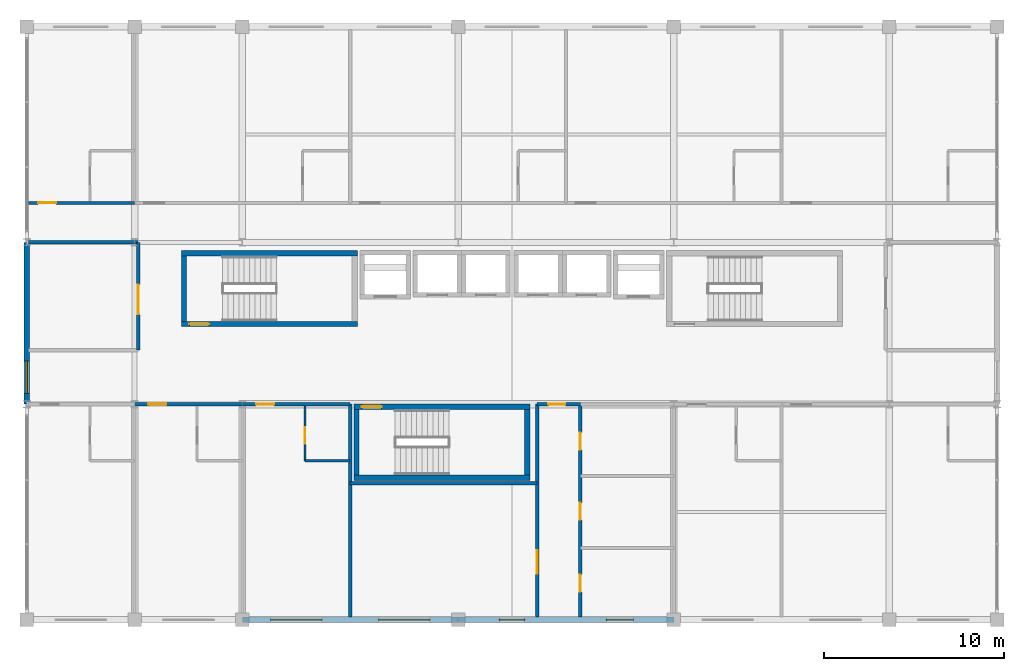
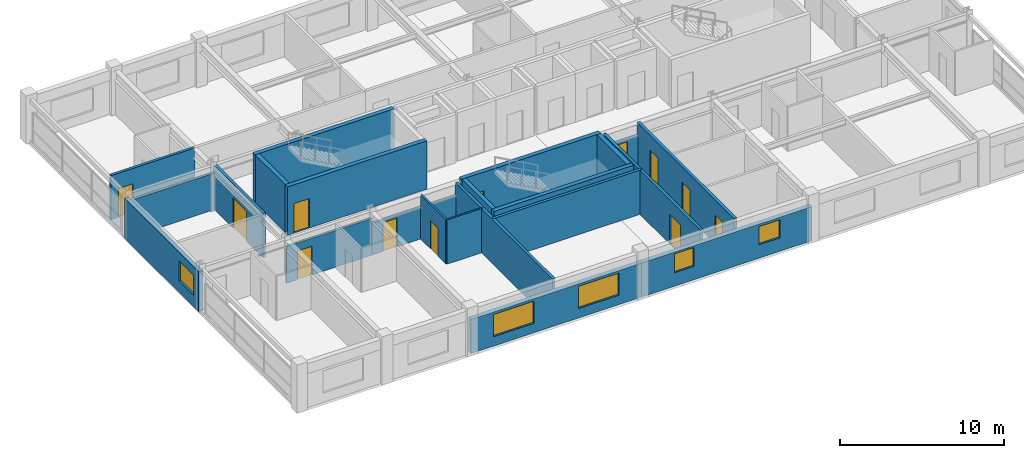
# One storey, part 16 of 20: 22 walls, 12 doors, 5 windows, 17 openings.
"""IFC4 building model written with IfcOpenShell, lengths in metres."""

from ifc_helpers import new_model, si_unit, direction, frame, frame_2d, origin, place, context, subcontext, project, spatial, rectangle, extrude, material, layer, layer_set, type_object, element, fill, save


model = new_model("IFC4")

# Units and contexts
model_context = context("Model", 3, precision=1e-05, world=origin(), true_north=direction((0.0, 1.0)))
body_context = subcontext(model_context, "Body", "Model", "MODEL_VIEW")
ifc_project = project(units=[si_unit("LENGTHUNIT", "METRE"), si_unit("AREAUNIT", "SQUARE_METRE"), si_unit("VOLUMEUNIT", "CUBIC_METRE"), si_unit("PLANEANGLEUNIT", "RADIAN"), si_unit("MASSUNIT", "GRAM", prefix="KILO")], contexts=[model_context])

# Site, building, storey
site_placement = place(None, origin())
site = spatial("IfcSite", under=ifc_project, at=site_placement, CompositionType="ELEMENT")
building_placement = place(site_placement, origin())
building = spatial("IfcBuilding", under=site, at=building_placement, Name="Kaldorvane Square Convention Centre", CompositionType="ELEMENT")
storey_placement = place(building_placement, frame((0.0, 0.0, 56.399993896484375)))
storey = spatial("IfcBuildingStorey", under=building, at=storey_placement, Name="L13", CompositionType="ELEMENT", Elevation=56.399993896484375)

# Wall, opening, door
ifc_material_1 = material(Name="Fire-Rated Gypsum Board on Acoustic Steel Studs", Category="steel")
ifc_layer_1 = layer(ifc_material_1, 0.125)
ifc_layer_set_1 = layer_set([ifc_layer_1], Name="Fire-Rated Gypsum Board on Acoustic Steel Studs")
wall_type_1 = type_object("IfcWallType", Name="WL-BATH-125", PredefinedType="PARTITIONING", material=ifc_layer_set_1)
wall_1_placement = place(storey_placement, frame((45.47999572753906, 92.85000610351562, 0.0), z_axis=(0.0, 0.0, 1.0), x_axis=(0.0, 1.0, 0.0)))
wall_1 = element("IfcWall", 1, at=wall_1_placement, inside=storey, type_object=wall_type_1, Name="En-Suite 1308 West Wall", PredefinedType="PARTITIONING", context=body_context, shape_type="SweptSolid", body=[
    extrude(rectangle(XDim=3.05999755859375, YDim=0.125, at=frame_2d((1.529998779296875, 0.0))), origin(), (0.0, 0.0, 1.0), 3.290008544921875),
])
opening_1_placement = place(wall_1_placement, frame((0.9499969482421875, 0.0, 0.0)))
opening_1 = element("IfcOpeningElement", 2, at=opening_1_placement, cuts=wall_1, Name="Opening ID-12", PredefinedType="OPENING", context=body_context, shape_type="SweptSolid", body=[
    extrude(rectangle(XDim=0.9199981689453125, YDim=2.100006103515625, at=frame_2d((0.459991455078125, 1.0500030517578125))), frame((0.0, 0.0774993896484375, 0.0), z_axis=(0.0, -1.0, 0.0), x_axis=(1.0, 0.0, 0.0)), (0.0, 0.0, 1.0), 0.154998779296875),
])
ifc_material_2 = material(Name="Architectural Solid-Core White Oak")
door_type_1 = type_object("IfcDoorType", Name="DR-BATH-0920X2100", OperationType="SINGLE_SWING_RIGHT", PredefinedType="DOOR", material=ifc_material_2)
door_1_placement = place(opening_1_placement, origin())
door_1 = element("IfcDoor", 3, at=door_1_placement, inside=storey, type_object=door_type_1, Name="En-Suite Bathroom 1308 Door", OperationType="SINGLE_SWING_RIGHT", OverallHeight=2.100006103515625, OverallWidth=0.9199981689453125, PredefinedType="DOOR", context=body_context, shape_type="SweptSolid", body=[
    extrude(rectangle(XDim=0.9199981689453125, YDim=2.100006103515625, at=frame_2d((0.459991455078125, 1.0500030517578125))), frame((0.0, 0.024993896484375, 0.0), z_axis=(0.0, -1.0, 0.0), x_axis=(1.0, 0.0, 0.0)), (0.0, 0.0, 1.0), 0.0500030517578125),
])
fill(opening_1, door_1)

# Wall
wall_2_placement = place(storey_placement, frame((45.47999572753906, 92.85000610351562, 0.0), z_axis=(0.0, 0.0, 1.0), x_axis=(1.0, 0.0, 0.0)))
element("IfcWall", 4, at=wall_2_placement, inside=storey, type_object=wall_type_1, Name="En-Suite 1308 South Wall", PredefinedType="PARTITIONING", context=body_context, shape_type="SweptSolid", body=[
    extrude(rectangle(XDim=2.5200042724609375, YDim=0.125, at=frame_2d((1.260009765625, 0.0))), origin(), (0.0, 0.0, 1.0), 3.290008544921875),
])

# Wall, opening, door
ifc_layer_2 = layer(ifc_material_1, 0.1999969482421875)
ifc_layer_set_2 = layer_set([ifc_layer_2], Name="Fire-Rated Gypsum Board on Acoustic Steel Studs")
wall_type_2 = type_object("IfcWallType", Name="WL-CORR-200", PredefinedType="PARTITIONING", material=ifc_layer_set_2)
wall_3_placement = place(storey_placement, frame((58.399993896484375, 96.0, 0.0), z_axis=(0.0, 0.0, 1.0), x_axis=(1.0, 0.0, 0.0)))
wall_3 = element("IfcWall", 5, at=wall_3_placement, inside=storey, type_object=wall_type_2, Name="Restroom Vestibule Entry Header (L13)", PredefinedType="PARTITIONING", context=body_context, shape_type="SweptSolid", body=[
    extrude(rectangle(XDim=2.4000091552734375, YDim=0.1999969482421875, at=frame_2d((1.20001220703125, 0.0))), origin(), (0.0, 0.0, 1.0), 2.3590087890625),
])
opening_2_placement = place(wall_3_placement, frame((0.625, 0.0, 0.0)))
opening_2 = element("IfcOpeningElement", 6, at=opening_2_placement, cuts=wall_3, Name="Opening ID-13", PredefinedType="OPENING", context=body_context, shape_type="SweptSolid", body=[
    extrude(rectangle(XDim=0.9499969482421875, YDim=2.149993896484375, at=frame_2d((0.475006103515625, 1.0749969482421875))), frame((0.0, 0.114990234375, 0.0), z_axis=(0.0, -1.0, 0.0), x_axis=(1.0, 0.0, 0.0)), (0.0, 0.0, 1.0), 0.2299957275390625),
])
door_type_2 = type_object("IfcDoorType", Name="DR-WC-0950X2150", OperationType="SINGLE_SWING_LEFT", PredefinedType="DOOR", material=ifc_material_2)
door_2_placement = place(opening_2_placement, origin())
door_2 = element("IfcDoor", 7, at=door_2_placement, inside=storey, type_object=door_type_2, Name="Restroom Vestibule Door (L13)", OperationType="SINGLE_SWING_LEFT", OverallHeight=2.149993896484375, OverallWidth=0.9499969482421875, PredefinedType="DOOR", context=body_context, shape_type="SweptSolid", body=[
    extrude(rectangle(XDim=0.9499969482421875, YDim=2.149993896484375, at=frame_2d((0.475006103515625, 1.0749969482421875))), frame((0.0, 0.024993896484375, 0.0), z_axis=(0.0, -1.0, 0.0), x_axis=(1.0, 0.0, 0.0)), (0.0, 0.0, 1.0), 0.0500030517578125),
])
fill(opening_2, door_2)

wall_4_placement = place(storey_placement, frame((58.399993896484375, 84.16000366210938, 0.0), z_axis=(0.0, 0.0, 1.0), x_axis=(0.0, 1.0, 0.0)))
wall_4 = element("IfcWall", 8, at=wall_4_placement, inside=storey, type_object=wall_type_2, Name="Restroom Vestibule West Wall (L13)", PredefinedType="PARTITIONING", context=body_context, shape_type="SweptSolid", body=[
    extrude(rectangle(XDim=11.839996337890625, YDim=0.1999969482421875, at=frame_2d((5.9199981689453125, 0.0))), origin(), (0.0, 0.0, 1.0), 3.290008544921875),
])
opening_3_placement = place(wall_4_placement, frame((2.399993896484375, 0.0, 0.0)))
opening_3 = element("IfcOpeningElement", 9, at=opening_3_placement, cuts=wall_4, Name="Opening ID-09", PredefinedType="OPENING", context=body_context, shape_type="SweptSolid", body=[
    extrude(rectangle(XDim=1.3000030517578125, YDim=2.1999969482421875, at=frame_2d((0.649993896484375, 1.100006103515625))), frame((0.0, 0.114990234375, 0.0), z_axis=(0.0, -1.0, 0.0), x_axis=(1.0, 0.0, 0.0)), (0.0, 0.0, 1.0), 0.2299957275390625),
])
ifc_material_3 = material(Name="Insulated Hollow Metal Steel", Category="steel")
door_type_3 = type_object("IfcDoorType", Name="DR-SVC-1300X2200", OperationType="DOUBLE_DOOR_SINGLE_SWING", PredefinedType="DOOR", material=ifc_material_3)
door_3_placement = place(opening_3_placement, origin())
door_3 = element("IfcDoor", 10, at=door_3_placement, inside=storey, type_object=door_type_3, Name="Housekeeping and Linen Room (L13) Door", OperationType="DOUBLE_DOOR_SINGLE_SWING", OverallHeight=2.1999969482421875, OverallWidth=1.3000030517578125, PredefinedType="DOOR", context=body_context, shape_type="SweptSolid", body=[
    extrude(rectangle(XDim=1.3000030517578125, YDim=2.1999969482421875, at=frame_2d((0.649993896484375, 1.100006103515625))), frame((0.0, 0.024993896484375, 0.0), z_axis=(0.0, -1.0, 0.0), x_axis=(1.0, 0.0, 0.0)), (0.0, 0.0, 1.0), 0.0500030517578125),
])
fill(opening_3, door_3)

# Wall, openings, doors
wall_5_placement = place(storey_placement, frame((60.80000305175781, 84.16000366210938, 0.0), z_axis=(0.0, 0.0, 1.0), x_axis=(0.0, 1.0, 0.0)))
wall_5 = element("IfcWall", 11, at=wall_5_placement, inside=storey, type_object=wall_type_2, Name="Restroom Vestibule East Wall (L13)", PredefinedType="PARTITIONING", context=body_context, shape_type="SweptSolid", body=[
    extrude(rectangle(XDim=11.839996337890625, YDim=0.1999969482421875, at=frame_2d((5.9199981689453125, 0.0))), origin(), (0.0, 0.0, 1.0), 3.290008544921875),
])
opening_4_placement = place(wall_5_placement, frame((1.399993896484375, 0.0, 0.0)))
opening_4 = element("IfcOpeningElement", 12, at=opening_4_placement, cuts=wall_5, Name="Opening ID-13", PredefinedType="OPENING", context=body_context, shape_type="SweptSolid", body=[
    extrude(rectangle(XDim=0.9499969482421875, YDim=2.149993896484375, at=frame_2d((0.475006103515625, 1.0749969482421875))), frame((0.0, 0.114990234375, 0.0), z_axis=(0.0, -1.0, 0.0), x_axis=(1.0, 0.0, 0.0)), (0.0, 0.0, 1.0), 0.2299957275390625),
])
opening_5_placement = place(wall_5_placement, frame((5.399993896484375, 0.0, 0.0)))
opening_5 = element("IfcOpeningElement", 13, at=opening_5_placement, cuts=wall_5, Name="Opening ID-13", PredefinedType="OPENING", context=body_context, shape_type="SweptSolid", body=[
    extrude(rectangle(XDim=0.9499969482421875, YDim=2.149993896484375, at=frame_2d((0.475006103515625, 1.0749969482421875))), frame((0.0, 0.114990234375, 0.0), z_axis=(0.0, -1.0, 0.0), x_axis=(1.0, 0.0, 0.0)), (0.0, 0.0, 1.0), 0.2299957275390625),
])
opening_6_placement = place(wall_5_placement, frame((9.300003051757812, 0.0, 0.0)))
opening_6 = element("IfcOpeningElement", 14, at=opening_6_placement, cuts=wall_5, Name="Opening ID-13", PredefinedType="OPENING", context=body_context, shape_type="SweptSolid", body=[
    extrude(rectangle(XDim=0.9499969482421875, YDim=2.149993896484375, at=frame_2d((0.475006103515625, 1.0749969482421875))), frame((0.0, 0.114990234375, 0.0), z_axis=(0.0, -1.0, 0.0), x_axis=(1.0, 0.0, 0.0)), (0.0, 0.0, 1.0), 0.2299957275390625),
])
door_4_placement = place(opening_4_placement, origin())
door_4 = element("IfcDoor", 15, at=door_4_placement, inside=storey, type_object=door_type_2, Name="Accessible Restroom Door (L13)", OperationType="SINGLE_SWING_LEFT", OverallHeight=2.149993896484375, OverallWidth=0.9499969482421875, PredefinedType="DOOR", context=body_context, shape_type="SweptSolid", body=[
    extrude(rectangle(XDim=0.9499969482421875, YDim=2.149993896484375, at=frame_2d((0.475006103515625, 1.0749969482421875))), frame((0.0, 0.024993896484375, 0.0), z_axis=(0.0, -1.0, 0.0), x_axis=(1.0, 0.0, 0.0)), (0.0, 0.0, 1.0), 0.0500030517578125),
])
fill(opening_4, door_4)
door_5_placement = place(opening_5_placement, origin())
door_5 = element("IfcDoor", 16, at=door_5_placement, inside=storey, type_object=door_type_2, Name="Men's Restroom Door (L13)", OperationType="SINGLE_SWING_LEFT", OverallHeight=2.149993896484375, OverallWidth=0.9499969482421875, PredefinedType="DOOR", context=body_context, shape_type="SweptSolid", body=[
    extrude(rectangle(XDim=0.9499969482421875, YDim=2.149993896484375, at=frame_2d((0.475006103515625, 1.0749969482421875))), frame((0.0, 0.024993896484375, 0.0), z_axis=(0.0, -1.0, 0.0), x_axis=(1.0, 0.0, 0.0)), (0.0, 0.0, 1.0), 0.0500030517578125),
])
fill(opening_5, door_5)
door_6_placement = place(opening_6_placement, origin())
door_6 = element("IfcDoor", 17, at=door_6_placement, inside=storey, type_object=door_type_2, Name="Women's Restroom Door (L13)", OperationType="SINGLE_SWING_LEFT", OverallHeight=2.149993896484375, OverallWidth=0.9499969482421875, PredefinedType="DOOR", context=body_context, shape_type="SweptSolid", body=[
    extrude(rectangle(XDim=0.9499969482421875, YDim=2.149993896484375, at=frame_2d((0.475006103515625, 1.0749969482421875))), frame((0.0, 0.024993896484375, 0.0), z_axis=(0.0, -1.0, 0.0), x_axis=(1.0, 0.0, 0.0)), (0.0, 0.0, 1.0), 0.0500030517578125),
])
fill(opening_6, door_6)

# Walls
wall_6_placement = place(storey_placement, frame((48.0, 91.60000610351562, 0.0), z_axis=(0.0, 0.0, 1.0), x_axis=(1.0, 0.0, 0.0)))
element("IfcWall", 18, at=wall_6_placement, inside=storey, type_object=wall_type_2, Name="Housekeeping North Wall (L13)", PredefinedType="PARTITIONING", context=body_context, shape_type="SweptSolid", body=[
    extrude(rectangle(XDim=10.399993896484375, YDim=0.1999969482421875, at=frame_2d((5.1999969482421875, 0.0))), origin(), (0.0, 0.0, 1.0), 3.290008544921875),
])
wall_7_placement = place(storey_placement, frame((48.0, 84.16000366210938, 0.0), z_axis=(0.0, 0.0, 1.0), x_axis=(0.0, 1.0, 0.0)))
element("IfcWall", 19, at=wall_7_placement, inside=storey, type_object=wall_type_2, Name="Service Block West Wall (L13)", PredefinedType="PARTITIONING", context=body_context, shape_type="SweptSolid", body=[
    extrude(rectangle(XDim=11.839996337890625, YDim=0.1999969482421875, at=frame_2d((5.9199981689453125, 0.0))), origin(), (0.0, 0.0, 1.0), 3.290008544921875),
])

# Wall, opening, door
wall_8_placement = place(storey_placement, frame((36.19999694824219, 99.0, 0.0), z_axis=(0.0, 0.0, 1.0), x_axis=(0.0, 1.0, 0.0)))
wall_8 = element("IfcWall", 20, at=wall_8_placement, inside=storey, type_object=wall_type_2, Name="West Sunset Sitting Alcove (L13) E Wall", PredefinedType="PARTITIONING", context=body_context, shape_type="SweptSolid", body=[
    extrude(rectangle(XDim=6.0, YDim=0.1999969482421875, at=frame_2d((3.0, 0.0))), origin(), (0.0, 0.0, 1.0), 3.290008544921875),
])
opening_7_placement = place(wall_8_placement, frame((2.0, 0.0, 0.0)))
opening_7 = element("IfcOpeningElement", 21, at=opening_7_placement, cuts=wall_8, Name="Opening ID-16", PredefinedType="OPENING", context=body_context, shape_type="SweptSolid", body=[
    extrude(rectangle(XDim=1.649993896484375, YDim=2.25, at=frame_2d((0.8249969482421875, 1.125))), frame((0.0, 0.114990234375, 0.0), z_axis=(0.0, -1.0, 0.0), x_axis=(1.0, 0.0, 0.0)), (0.0, 0.0, 1.0), 0.2299957275390625),
])
ifc_material_4 = material(Name="Acoustic Laminated Glass in Aluminum Frame", Category="aluminium")
door_type_4 = type_object("IfcDoorType", Name="DR-GL-1650X2250", OperationType="DOUBLE_DOOR_SINGLE_SWING", PredefinedType="DOOR", material=ifc_material_4)
door_7_placement = place(opening_7_placement, origin())
door_7 = element("IfcDoor", 22, at=door_7_placement, inside=storey, type_object=door_type_4, Name="West Sunset Sitting Alcove (L13) Door 1", OperationType="DOUBLE_DOOR_SINGLE_SWING", OverallHeight=2.25, OverallWidth=1.649993896484375, PredefinedType="DOOR", context=body_context, shape_type="SweptSolid", body=[
    extrude(rectangle(XDim=1.649993896484375, YDim=2.25, at=frame_2d((0.8249969482421875, 1.125))), frame((0.0, 0.024993896484375, 0.0), z_axis=(0.0, -1.0, 0.0), x_axis=(1.0, 0.0, 0.0)), (0.0, 0.0, 1.0), 0.0500030517578125),
])
fill(opening_7, door_7)

# Wall
wall_9_placement = place(storey_placement, frame((36.19999694824219, 105.0, 0.0), z_axis=(0.0, 0.0, 1.0), x_axis=(-1.0, 0.0, 0.0)))
element("IfcWall", 23, at=wall_9_placement, inside=storey, type_object=wall_type_2, Name="West Sunset Sitting Alcove (L13) N Wall", PredefinedType="PARTITIONING", context=body_context, shape_type="SweptSolid", body=[
    extrude(rectangle(XDim=6.114990234375, YDim=0.1999969482421875, at=frame_2d((3.0574951171875, 0.0))), origin(), (0.0, 0.0, 1.0), 2.7360076904296875),
])

# Wall, openings, windows
ifc_material_5 = material(Name="Concrete f'c = 35 MPa (Normalweight)", Category="concrete")
ifc_layer_3 = layer(ifc_material_5, 0.32000732421875)
ifc_layer_set_3 = layer_set([ifc_layer_3], Name="Concrete f'c = 35 MPa (Normalweight)")
wall_type_3 = type_object("IfcWallType", Name="WL-EXT-320", PredefinedType="STANDARD", material=ifc_layer_set_3)
wall_10_placement = place(storey_placement, frame((42.0, 84.0, 0.0), z_axis=(0.0, 0.0, 1.0), x_axis=(1.0, 0.0, 0.0)))
wall_10 = element("IfcWall", 24, at=wall_10_placement, inside=storey, type_object=wall_type_3, Name="Hotel S Brutalist Facade Wall (L13)", PredefinedType="STANDARD", context=body_context, shape_type="SweptSolid", body=[
    extrude(rectangle(XDim=12.0, YDim=0.32000732421875, at=frame_2d((6.0, 0.0))), origin(), (0.0, 0.0, 1.0), 2.5360107421875),
])
opening_8_placement = place(wall_10_placement, frame((1.5749969482421875, 0.0, 0.6999969482421875)))
opening_8 = element("IfcOpeningElement", 25, at=opening_8_placement, cuts=wall_10, Name="Opening W-04", PredefinedType="OPENING", context=body_context, shape_type="SweptSolid", body=[
    extrude(rectangle(XDim=2.850006103515625, YDim=1.649993896484375, at=frame_2d((1.4250030517578125, 0.8249969482421875))), frame((0.0, 0.1750030517578125, 0.0), z_axis=(0.0, -1.0, 0.0), x_axis=(1.0, 0.0, 0.0)), (0.0, 0.0, 1.0), 0.350006103515625),
])
opening_9_placement = place(wall_10_placement, frame((7.5749969482421875, 0.0, 0.6999969482421875)))
opening_9 = element("IfcOpeningElement", 26, at=opening_9_placement, cuts=wall_10, Name="Opening W-04", PredefinedType="OPENING", context=body_context, shape_type="SweptSolid", body=[
    extrude(rectangle(XDim=2.850006103515625, YDim=1.649993896484375, at=frame_2d((1.4250030517578125, 0.8249969482421875))), frame((0.0, 0.1750030517578125, 0.0), z_axis=(0.0, -1.0, 0.0), x_axis=(1.0, 0.0, 0.0)), (0.0, 0.0, 1.0), 0.350006103515625),
])
ifc_material_6 = material(Name="Anodized Aluminum and Low-E Insulated Glazing", Category="aluminium")
window_type_1 = type_object("IfcWindowType", Name="WN-HTL-2850X1650", PartitioningType="TRIPLE_PANEL_VERTICAL", PredefinedType="WINDOW", material=ifc_material_6)
window_1_placement = place(opening_8_placement, origin())
window_1 = element("IfcWindow", 27, at=window_1_placement, inside=storey, type_object=window_type_1, Name="Hotel S Window (L13)", OverallHeight=1.649993896484375, OverallWidth=2.850006103515625, PartitioningType="TRIPLE_PANEL_VERTICAL", PredefinedType="WINDOW", context=body_context, shape_type="SweptSolid", body=[
    extrude(rectangle(XDim=2.850006103515625, YDim=1.649993896484375, at=frame_2d((1.4250030517578125, 0.8249969482421875))), frame((0.0, 0.029998779296875, 0.0), z_axis=(0.0, -1.0, 0.0), x_axis=(1.0, 0.0, 0.0)), (0.0, 0.0, 1.0), 0.05999755859375),
])
fill(opening_8, window_1)
window_2_placement = place(opening_9_placement, origin())
window_2 = element("IfcWindow", 28, at=window_2_placement, inside=storey, type_object=window_type_1, Name="Hotel S Window (L13)", OverallHeight=1.649993896484375, OverallWidth=2.850006103515625, PartitioningType="TRIPLE_PANEL_VERTICAL", PredefinedType="WINDOW", context=body_context, shape_type="SweptSolid", body=[
    extrude(rectangle(XDim=2.850006103515625, YDim=1.649993896484375, at=frame_2d((1.4250030517578125, 0.8249969482421875))), frame((0.0, 0.029998779296875, 0.0), z_axis=(0.0, -1.0, 0.0), x_axis=(1.0, 0.0, 0.0)), (0.0, 0.0, 1.0), 0.05999755859375),
])
fill(opening_9, window_2)

wall_11_placement = place(storey_placement, frame((54.0, 84.0, 0.0), z_axis=(0.0, 0.0, 1.0), x_axis=(1.0, 0.0, 0.0)))
wall_11 = element("IfcWall", 29, at=wall_11_placement, inside=storey, type_object=wall_type_3, Name="Hotel S Brutalist Facade Wall (L13)", PredefinedType="STANDARD", context=body_context, shape_type="SweptSolid", body=[
    extrude(rectangle(XDim=12.0, YDim=0.32000732421875, at=frame_2d((6.0, 0.0))), origin(), (0.0, 0.0, 1.0), 2.5360107421875),
])
opening_10_placement = place(wall_11_placement, frame((2.3000030517578125, 0.0, 1.0)))
opening_10 = element("IfcOpeningElement", 30, at=opening_10_placement, cuts=wall_11, Name="Opening W-13", PredefinedType="OPENING", context=body_context, shape_type="SweptSolid", body=[
    extrude(rectangle(XDim=1.399993896484375, YDim=1.399993896484375, at=frame_2d((0.6999969482421875, 0.6999969482421875))), frame((0.0, 0.1750030517578125, 0.0), z_axis=(0.0, -1.0, 0.0), x_axis=(1.0, 0.0, 0.0)), (0.0, 0.0, 1.0), 0.350006103515625),
])
opening_11_placement = place(wall_11_placement, frame((8.25, 0.0, 1.0)))
opening_11 = element("IfcOpeningElement", 31, at=opening_11_placement, cuts=wall_11, Name="Opening W-14", PredefinedType="OPENING", context=body_context, shape_type="SweptSolid", body=[
    extrude(rectangle(XDim=1.5, YDim=1.350006103515625, at=frame_2d((0.75, 0.6750030517578125))), frame((0.0, 0.1750030517578125, 0.0), z_axis=(0.0, -1.0, 0.0), x_axis=(1.0, 0.0, 0.0)), (0.0, 0.0, 1.0), 0.350006103515625),
])
window_type_2 = type_object("IfcWindowType", Name="WN-HTL-1400X1400", PartitioningType="SINGLE_PANEL", PredefinedType="WINDOW", material=ifc_material_6)
window_3_placement = place(opening_10_placement, origin())
window_3 = element("IfcWindow", 32, at=window_3_placement, inside=storey, type_object=window_type_2, Name="Hotel S Window (L13)", OverallHeight=1.399993896484375, OverallWidth=1.399993896484375, PartitioningType="SINGLE_PANEL", PredefinedType="WINDOW", context=body_context, shape_type="SweptSolid", body=[
    extrude(rectangle(XDim=1.399993896484375, YDim=1.399993896484375, at=frame_2d((0.6999969482421875, 0.6999969482421875))), frame((0.0, 0.029998779296875, 0.0), z_axis=(0.0, -1.0, 0.0), x_axis=(1.0, 0.0, 0.0)), (0.0, 0.0, 1.0), 0.05999755859375),
])
fill(opening_10, window_3)
window_type_3 = type_object("IfcWindowType", Name="WN-HTL-1500X1350", PartitioningType="SINGLE_PANEL", PredefinedType="WINDOW", material=ifc_material_6)
window_4_placement = place(opening_11_placement, origin())
window_4 = element("IfcWindow", 33, at=window_4_placement, inside=storey, type_object=window_type_3, Name="Hotel S Window (L13)", OverallHeight=1.350006103515625, OverallWidth=1.5, PartitioningType="SINGLE_PANEL", PredefinedType="WINDOW", context=body_context, shape_type="SweptSolid", body=[
    extrude(rectangle(XDim=1.5, YDim=1.350006103515625, at=frame_2d((0.75, 0.6750030517578125))), frame((0.0, 0.029998779296875, 0.0), z_axis=(0.0, -1.0, 0.0), x_axis=(1.0, 0.0, 0.0)), (0.0, 0.0, 1.0), 0.05999755859375),
])
fill(opening_11, window_4)

# Wall, opening, window
wall_12_placement = place(storey_placement, frame((30.0, 105.0, 0.0), z_axis=(0.0, 0.0, 1.0), x_axis=(0.0, -1.0, 0.0)))
wall_12 = element("IfcWall", 34, at=wall_12_placement, inside=storey, type_object=wall_type_3, Name="Hotel W End Wall (L13)", PredefinedType="STANDARD", context=body_context, shape_type="SweptSolid", body=[
    extrude(rectangle(XDim=9.0, YDim=0.32000732421875, at=frame_2d((4.5, 0.0))), origin(), (0.0, 0.0, 1.0), 2.9810028076171875),
])
opening_12_placement = place(wall_12_placement, frame((6.600006103515625, 0.0, 0.850006103515625)))
opening_12 = element("IfcOpeningElement", 35, at=opening_12_placement, cuts=wall_12, Name="Opening W-11", PredefinedType="OPENING", context=body_context, shape_type="SweptSolid", body=[
    extrude(rectangle(XDim=1.8000030517578125, YDim=1.5, at=frame_2d((0.899993896484375, 0.75))), frame((0.0, 0.1750030517578125, 0.0), z_axis=(0.0, -1.0, 0.0), x_axis=(1.0, 0.0, 0.0)), (0.0, 0.0, 1.0), 0.350006103515625),
])
window_type_4 = type_object("IfcWindowType", Name="WN-HTL-1800X1500", PartitioningType="SINGLE_PANEL", PredefinedType="WINDOW", material=ifc_material_6)
window_5_placement = place(opening_12_placement, origin())
window_5 = element("IfcWindow", 36, at=window_5_placement, inside=storey, type_object=window_type_4, Name="Hotel End Window W (L13)", OverallHeight=1.5, OverallWidth=1.8000030517578125, PartitioningType="SINGLE_PANEL", PredefinedType="WINDOW", context=body_context, shape_type="SweptSolid", body=[
    extrude(rectangle(XDim=1.8000030517578125, YDim=1.5, at=frame_2d((0.899993896484375, 0.75))), frame((0.0, 0.029998779296875, 0.0), z_axis=(0.0, -1.0, 0.0), x_axis=(1.0, 0.0, 0.0)), (0.0, 0.0, 1.0), 0.05999755859375),
])
fill(opening_12, window_5)

# Wall, opening, door
ifc_material_7 = material(Name="Concrete f'c = 55 MPa (Normalweight)", Category="concrete")
ifc_layer_4 = layer(ifc_material_7, 0.3000030517578125)
ifc_layer_set_4 = layer_set([ifc_layer_4], Name="Concrete f'c = 55 MPa (Normalweight)")
wall_type_4 = type_object("IfcWallType", Name="WL-SHAFT-300", PredefinedType="SHEAR", material=ifc_layer_set_4)
wall_13_placement = place(storey_placement, frame((38.600006103515625, 100.46000671386719, 0.0), z_axis=(0.0, 0.0, 1.0), x_axis=(1.0, 0.0, 0.0)))
wall_13 = element("IfcWall", 37, at=wall_13_placement, inside=storey, type_object=wall_type_4, Name="Core Enclosure Wall stair:ST-T1-S (L13)", PredefinedType="SHEAR", context=body_context, shape_type="SweptSolid", body=[
    extrude(rectangle(XDim=9.79998779296875, YDim=0.3000030517578125, at=frame_2d((4.899993896484375, 0.0))), origin(), (0.0, 0.0, 1.0), 3.600006103515625),
])
opening_13_placement = place(wall_13_placement, frame((0.4499969482421875, 0.0, 0.0)))
opening_13 = element("IfcOpeningElement", 38, at=opening_13_placement, cuts=wall_13, Name="Opening FD90-S1", PredefinedType="OPENING", context=body_context, shape_type="SweptSolid", body=[
    extrude(rectangle(XDim=1.100006103515625, YDim=2.1999969482421875, at=frame_2d((0.5500030517578125, 1.100006103515625))), frame((0.0, 0.165008544921875, 0.0), z_axis=(0.0, -1.0, 0.0), x_axis=(1.0, 0.0, 0.0)), (0.0, 0.0, 1.0), 0.3300018310546875),
])
ifc_material_8 = material(Name="Fire-Rated Hollow Metal Steel", Category="steel")
door_type_5 = type_object("IfcDoorType", Name="DR-STAIR-1100", OperationType="SINGLE_SWING_RIGHT", PredefinedType="DOOR", material=ifc_material_8)
door_8_placement = place(opening_13_placement, origin())
door_8 = element("IfcDoor", 39, at=door_8_placement, inside=storey, type_object=door_type_5, Name="Tower Exit Stair T1 Fire Door (L13)", OperationType="SINGLE_SWING_RIGHT", OverallHeight=2.1999969482421875, OverallWidth=1.100006103515625, PredefinedType="DOOR", context=body_context, shape_type="SweptSolid", body=[
    extrude(rectangle(XDim=1.100006103515625, YDim=2.1999969482421875, at=frame_2d((0.5500030517578125, 1.100006103515625))), frame((0.0, 0.024993896484375, 0.0), z_axis=(0.0, -1.0, 0.0), x_axis=(1.0, 0.0, 0.0)), (0.0, 0.0, 1.0), 0.0500030517578125),
])
fill(opening_13, door_8)

# Walls
wall_14_placement = place(storey_placement, frame((48.399993896484375, 104.39999389648438, 0.0), z_axis=(0.0, 0.0, 1.0), x_axis=(-1.0, 0.0, 0.0)))
element("IfcWall", 40, at=wall_14_placement, inside=storey, type_object=wall_type_4, Name="Core Enclosure Wall stair:ST-T1-N (L13)", PredefinedType="SHEAR", context=body_context, shape_type="SweptSolid", body=[
    extrude(rectangle(XDim=9.79998779296875, YDim=0.3000030517578125, at=frame_2d((4.899993896484375, 0.0))), origin(), (0.0, 0.0, 1.0), 3.600006103515625),
])
wall_15_placement = place(storey_placement, frame((38.75, 104.25, 0.0), z_axis=(0.0, 0.0, 1.0), x_axis=(0.0, -1.0, 0.0)))
element("IfcWall", 41, at=wall_15_placement, inside=storey, type_object=wall_type_4, Name="Core Enclosure Wall stair:ST-T1-W (L13)", PredefinedType="SHEAR", context=body_context, shape_type="SweptSolid", body=[
    extrude(rectangle(XDim=3.6399993896484375, YDim=0.3000030517578125, at=frame_2d((1.82000732421875, 0.0))), origin(), (0.0, 0.0, 1.0), 3.600006103515625),
])
wall_16_placement = place(storey_placement, frame((48.19999694824219, 91.91000366210938, 0.0), z_axis=(0.0, 0.0, 1.0), x_axis=(1.0, 0.0, 0.0)))
element("IfcWall", 42, at=wall_16_placement, inside=storey, type_object=wall_type_4, Name="Core Enclosure Wall stair:ST-T3-S (L13)", PredefinedType="SHEAR", context=body_context, shape_type="SweptSolid", body=[
    extrude(rectangle(XDim=9.800003051757812, YDim=0.3000030517578125, at=frame_2d((4.899993896484375, 0.0))), origin(), (0.0, 0.0, 1.0), 3.600006103515625),
])

# Wall, opening, door
wall_17_placement = place(storey_placement, frame((58.0, 95.85000610351562, 0.0), z_axis=(0.0, 0.0, 1.0), x_axis=(-1.0, 0.0, 0.0)))
wall_17 = element("IfcWall", 43, at=wall_17_placement, inside=storey, type_object=wall_type_4, Name="Core Enclosure Wall stair:ST-T3-N (L13)", PredefinedType="SHEAR", context=body_context, shape_type="SweptSolid", body=[
    extrude(rectangle(XDim=9.800003051757812, YDim=0.3000030517578125, at=frame_2d((4.899993896484375, 0.0))), origin(), (0.0, 0.0, 1.0), 3.600006103515625),
])
opening_14_placement = place(wall_17_placement, frame((8.25, 0.0, 0.0)))
opening_14 = element("IfcOpeningElement", 44, at=opening_14_placement, cuts=wall_17, Name="Opening FD90-S1", PredefinedType="OPENING", context=body_context, shape_type="SweptSolid", body=[
    extrude(rectangle(XDim=1.100006103515625, YDim=2.1999969482421875, at=frame_2d((0.5500030517578125, 1.100006103515625))), frame((0.0, 0.165008544921875, 0.0), z_axis=(0.0, -1.0, 0.0), x_axis=(1.0, 0.0, 0.0)), (0.0, 0.0, 1.0), 0.3300018310546875),
])
door_9_placement = place(opening_14_placement, origin())
door_9 = element("IfcDoor", 45, at=door_9_placement, inside=storey, type_object=door_type_5, Name="Tower Exit Stair T3 Fire Door (L13)", OperationType="SINGLE_SWING_RIGHT", OverallHeight=2.1999969482421875, OverallWidth=1.100006103515625, PredefinedType="DOOR", context=body_context, shape_type="SweptSolid", body=[
    extrude(rectangle(XDim=1.100006103515625, YDim=2.1999969482421875, at=frame_2d((0.5500030517578125, 1.100006103515625))), frame((0.0, 0.024993896484375, 0.0), z_axis=(0.0, -1.0, 0.0), x_axis=(1.0, 0.0, 0.0)), (0.0, 0.0, 1.0), 0.0500030517578125),
])
fill(opening_14, door_9)

# Walls
for number, where, z_axis, x_axis, name in (
    (46, (48.350006103515625, 95.69999694824219, 0.0), (0.0, 0.0, 1.0), (0.0, -1.0, 0.0), "Core Enclosure Wall stair:ST-T3-W (L13)"),
    (47, (57.850006103515625, 92.05999755859375, 0.0), (0.0, 0.0, 1.0), (0.0, 1.0, 0.0), "Core Enclosure Wall stair:ST-T3-E (L13)"),
):
    element("IfcWall", number, at=place(storey_placement, frame(where, z_axis=z_axis, x_axis=x_axis)), inside=storey, type_object=wall_type_4, Name=name, PredefinedType="SHEAR", context=body_context, shape_type="SweptSolid", body=[
        extrude(rectangle(XDim=3.6399993896484375, YDim=0.3000030517578125, at=frame_2d((1.82000732421875, 0.0))), origin(), (0.0, 0.0, 1.0), 3.600006103515625),
    ])

# Wall, opening, door
ifc_layer_5 = layer(ifc_material_1, 0.17999267578125)
ifc_layer_set_5 = layer_set([ifc_layer_5], Name="Fire-Rated Gypsum Board on Acoustic Steel Studs")
wall_type_5 = type_object("IfcWallType", Name="WL-UNIT-180", PredefinedType="PARTITIONING", material=ifc_layer_set_5)
wall_18_placement = place(storey_placement, frame((30.085006713867188, 107.19999694824219, 0.0), z_axis=(0.0, 0.0, 1.0), x_axis=(1.0, 0.0, 0.0)))
wall_18 = element("IfcWall", 48, at=wall_18_placement, inside=storey, type_object=wall_type_5, Name="Hotel Guest Room 1301 Corridor Wall", PredefinedType="PARTITIONING", context=body_context, shape_type="SweptSolid", body=[
    extrude(rectangle(XDim=5.9149932861328125, YDim=0.17999267578125, at=frame_2d((2.957489013671875, 0.0))), origin(), (0.0, 0.0, 1.0), 3.290008544921875),
])
opening_15_placement = place(wall_18_placement, frame((0.5500030517578125, 0.0, 0.0)))
opening_15 = element("IfcOpeningElement", 49, at=opening_15_placement, cuts=wall_18, Name="Opening ID-10", PredefinedType="OPENING", context=body_context, shape_type="SweptSolid", body=[
    extrude(rectangle(XDim=1.0, YDim=2.149993896484375, at=frame_2d((0.5, 1.0749969482421875))), frame((0.0, 0.1049957275390625, 0.0), z_axis=(0.0, -1.0, 0.0), x_axis=(1.0, 0.0, 0.0)), (0.0, 0.0, 1.0), 0.209991455078125),
])
door_type_6 = type_object("IfcDoorType", Name="DR-GUEST-1000X2150", OperationType="SINGLE_SWING_LEFT", PredefinedType="DOOR", material=ifc_material_2)
door_10_placement = place(opening_15_placement, origin())
door_10 = element("IfcDoor", 50, at=door_10_placement, inside=storey, type_object=door_type_6, Name="Hotel Guest Room 1301 Entry Door", OperationType="SINGLE_SWING_LEFT", OverallHeight=2.149993896484375, OverallWidth=1.0, PredefinedType="DOOR", context=body_context, shape_type="SweptSolid", body=[
    extrude(rectangle(XDim=1.0, YDim=2.149993896484375, at=frame_2d((0.5, 1.0749969482421875))), frame((0.0, 0.024993896484375, 0.0), z_axis=(0.0, -1.0, 0.0), x_axis=(1.0, 0.0, 0.0)), (0.0, 0.0, 1.0), 0.0500030517578125),
])
fill(opening_15, door_10)

wall_19_placement = place(storey_placement, frame((36.0, 96.0, 0.0), z_axis=(0.0, 0.0, 1.0), x_axis=(1.0, 0.0, 0.0)))
wall_19 = element("IfcWall", 51, at=wall_19_placement, inside=storey, type_object=wall_type_5, Name="Hotel Guest Room 1307 Corridor Wall", PredefinedType="PARTITIONING", context=body_context, shape_type="SweptSolid", body=[
    extrude(rectangle(XDim=6.0, YDim=0.17999267578125, at=frame_2d((3.0, 0.0))), origin(), (0.0, 0.0, 1.0), 2.7360076904296875),
])
opening_16_placement = place(wall_19_placement, frame((0.7700042724609375, 0.0, 0.0)))
opening_16 = element("IfcOpeningElement", 52, at=opening_16_placement, cuts=wall_19, Name="Opening ID-10", PredefinedType="OPENING", context=body_context, shape_type="SweptSolid", body=[
    extrude(rectangle(XDim=1.0, YDim=2.149993896484375, at=frame_2d((0.5, 1.0749969482421875))), frame((0.0, 0.1049957275390625, 0.0), z_axis=(0.0, -1.0, 0.0), x_axis=(1.0, 0.0, 0.0)), (0.0, 0.0, 1.0), 0.209991455078125),
])
door_11_placement = place(opening_16_placement, origin())
door_11 = element("IfcDoor", 53, at=door_11_placement, inside=storey, type_object=door_type_6, Name="Hotel Guest Room 1307 Entry Door", OperationType="SINGLE_SWING_LEFT", OverallHeight=2.149993896484375, OverallWidth=1.0, PredefinedType="DOOR", context=body_context, shape_type="SweptSolid", body=[
    extrude(rectangle(XDim=1.0, YDim=2.149993896484375, at=frame_2d((0.5, 1.0749969482421875))), frame((0.0, 0.024993896484375, 0.0), z_axis=(0.0, -1.0, 0.0), x_axis=(1.0, 0.0, 0.0)), (0.0, 0.0, 1.0), 0.0500030517578125),
])
fill(opening_16, door_11)

wall_20_placement = place(storey_placement, frame((42.0, 96.0, 0.0), z_axis=(0.0, 0.0, 1.0), x_axis=(1.0, 0.0, 0.0)))
wall_20 = element("IfcWall", 54, at=wall_20_placement, inside=storey, type_object=wall_type_5, Name="Hotel Guest Room 1308 Corridor Wall", PredefinedType="PARTITIONING", context=body_context, shape_type="SweptSolid", body=[
    extrude(rectangle(XDim=6.0, YDim=0.17999267578125, at=frame_2d((3.0, 0.0))), origin(), (0.0, 0.0, 1.0), 2.3590087890625),
])
opening_17_placement = place(wall_20_placement, frame((0.7700042724609375, 0.0, 0.0)))
opening_17 = element("IfcOpeningElement", 55, at=opening_17_placement, cuts=wall_20, Name="Opening ID-10", PredefinedType="OPENING", context=body_context, shape_type="SweptSolid", body=[
    extrude(rectangle(XDim=1.0, YDim=2.149993896484375, at=frame_2d((0.5, 1.0749969482421875))), frame((0.0, 0.1049957275390625, 0.0), z_axis=(0.0, -1.0, 0.0), x_axis=(1.0, 0.0, 0.0)), (0.0, 0.0, 1.0), 0.209991455078125),
])
door_12_placement = place(opening_17_placement, origin())
door_12 = element("IfcDoor", 56, at=door_12_placement, inside=storey, type_object=door_type_6, Name="Hotel Guest Room 1308 Entry Door", OperationType="SINGLE_SWING_LEFT", OverallHeight=2.149993896484375, OverallWidth=1.0, PredefinedType="DOOR", context=body_context, shape_type="SweptSolid", body=[
    extrude(rectangle(XDim=1.0, YDim=2.149993896484375, at=frame_2d((0.5, 1.0749969482421875))), frame((0.0, 0.024993896484375, 0.0), z_axis=(0.0, -1.0, 0.0), x_axis=(1.0, 0.0, 0.0)), (0.0, 0.0, 1.0), 0.0500030517578125),
])
fill(opening_17, door_12)

save(model, "model.ifc")
